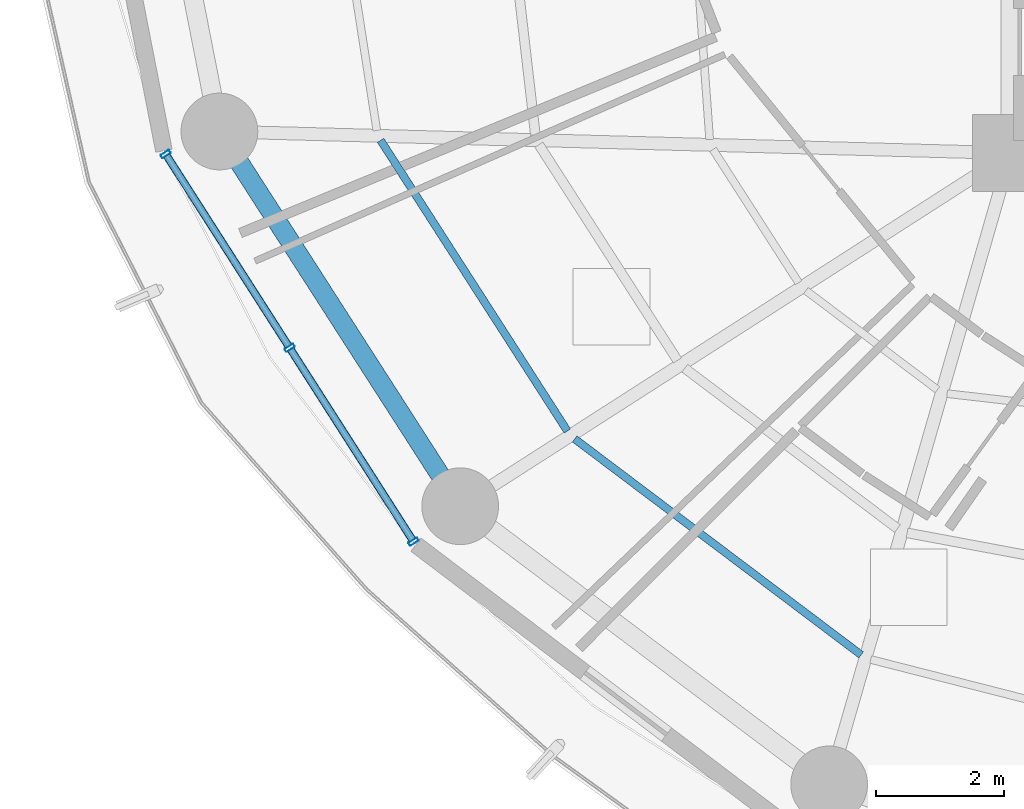
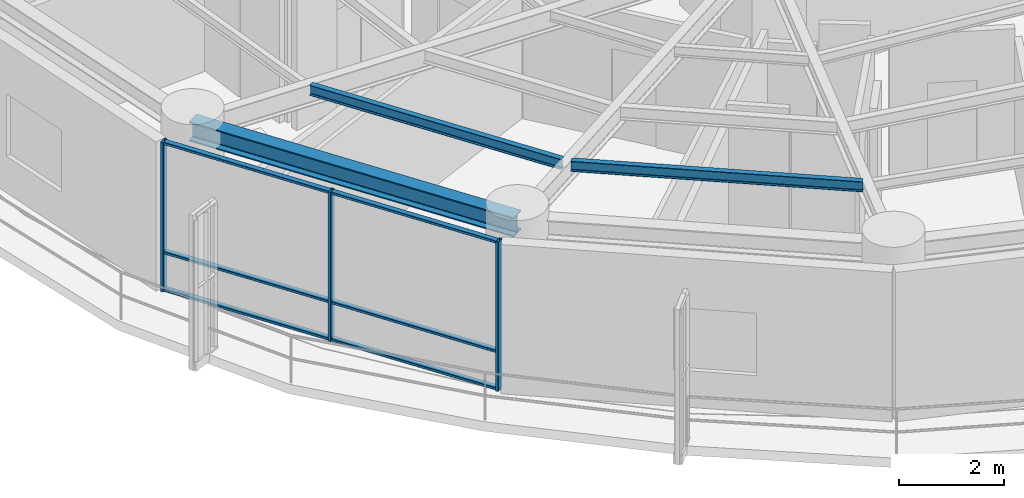
# One storey, part 2 of 27: 9 members, 3 beams, 1 element without a shape of its own.
"""IFC4 building model written with IfcOpenShell, lengths in metres."""

from ifc_helpers import new_model, si_unit, direction, frame, origin, origin_2d, place, context, subcontext, project, spatial, hollow_rectangle, i_section, extrude, material, layer, layer_set, material_profile, profile_set, type_object, element, aggregate, save


model = new_model("IFC4")

# Units and contexts
model_context = context("Model", 3, precision=1e-05, world=origin(), true_north=direction((0.0, 1.0)))
body_context = subcontext(model_context, "Body", "Model", "MODEL_VIEW")
ifc_project = project(units=[si_unit("LENGTHUNIT", "METRE"), si_unit("AREAUNIT", "SQUARE_METRE"), si_unit("VOLUMEUNIT", "CUBIC_METRE"), si_unit("PLANEANGLEUNIT", "RADIAN"), si_unit("MASSUNIT", "GRAM", prefix="KILO")], contexts=[model_context])

# Site, building, storey
site_placement = place(None, origin())
site = spatial("IfcSite", under=ifc_project, at=site_placement, CompositionType="ELEMENT")
building_placement = place(site_placement, origin())
building = spatial("IfcBuilding", under=site, at=building_placement, Name="Kelanora Arch Commons", CompositionType="ELEMENT")
storey_placement = place(building_placement, frame((0.0, 0.0, 146.85009765625)))
storey = spatial("IfcBuildingStorey", under=building, at=storey_placement, Name="L37", CompositionType="ELEMENT", Elevation=146.85009765625)

# Beams
ifc_material_1 = material(Name="Steel S355", Category="steel")
ifc_material_profile_1 = material_profile(ifc_material_1, i_section(OverallWidth=0.1201171875, OverallDepth=0.239990234375, WebThickness=0.006103515625, FlangeThickness=0.009765625, FilletRadius=0.014892578125, at=origin_2d()), Name="IPE240")
ifc_profile_set_1 = profile_set([ifc_material_profile_1], Name="Steel S355")
beam_type_1 = type_object("IfcBeamType", Name="BM-JST-02", PredefinedType="JOIST", material=ifc_profile_set_1)
beam_1_placement = place(storey_placement, frame((56.14794921875, 51.198486328125, 3.369873046875), z_axis=(0.540581678156, -0.841291536414, 0.0), x_axis=(0.841291536414, 0.540581678156, 0.0)))
element("IfcBeam", 1, at=beam_1_placement, inside=storey, type_object=beam_type_1, Name="Secondary Chord Joist BJC-20 L37", PredefinedType="JOIST", context=body_context, shape_type="SweptSolid", body=[
    extrude(i_section(OverallWidth=0.1201171875, OverallDepth=0.239990234375, WebThickness=0.006103515625, FlangeThickness=0.009765625, FilletRadius=0.014892578125, at=origin_2d()), origin(), (0.0, 0.0, 1.0), 5.4013671875),
])
beam_2_placement = place(storey_placement, frame((59.181640625, 46.531494140625, 3.369873046875), z_axis=(0.798493128577, -0.602003923256, 0.0), x_axis=(0.602003923256, 0.798493128577, 0.0)))
element("IfcBeam", 2, at=beam_2_placement, inside=storey, type_object=beam_type_1, Name="Secondary Chord Joist BJC-22 L37", PredefinedType="JOIST", context=body_context, shape_type="SweptSolid", body=[
    extrude(i_section(OverallWidth=0.1201171875, OverallDepth=0.239990234375, WebThickness=0.006103515625, FlangeThickness=0.009765625, FilletRadius=0.014892578125, at=origin_2d()), origin(), (0.0, 0.0, 1.0), 5.608642578125),
])
ifc_material_profile_2 = material_profile(ifc_material_1, i_section(OverallWidth=0.300048828125, OverallDepth=0.449951171875, WebThickness=0.013916015625, FlangeThickness=0.02587890625, FilletRadius=0.027099609375, at=origin_2d()), Name="HEB450")
ifc_profile_set_2 = profile_set([ifc_material_profile_2], Name="Steel S355")
beam_type_2 = type_object("IfcBeamType", Name="BM-SPN-Z3", PredefinedType="SPANDREL", material=ifc_profile_set_2)
beam_3_placement = place(storey_placement, frame((53.62744140625, 51.33740234375, 3.264892578125), z_axis=(0.540576852469, -0.841294637196, 0.0), x_axis=(0.841294637196, 0.540576852469, 0.0)))
element("IfcBeam", 3, at=beam_3_placement, inside=storey, type_object=beam_type_2, Name="Perimeter Spandrel Beam BS-20 L37", PredefinedType="SPANDREL", context=body_context, shape_type="SweptSolid", body=[
    extrude(i_section(OverallWidth=0.300048828125, OverallDepth=0.449951171875, WebThickness=0.013916015625, FlangeThickness=0.02587890625, FilletRadius=0.027099609375, at=origin_2d()), origin(), (0.0, 0.0, 1.0), 6.964111328125),
])

# Curtain wall, members
ifc_material_2 = material(Name="Terracotta ceramic-fritted low-E glass and aluminium", Category="masonry")
ifc_layer = layer(ifc_material_2, 0.175048828125)
ifc_layer_set = layer_set([ifc_layer], Name="Terracotta ceramic-fritted low-E glass and aluminium")
curtain_wall_type = type_object("IfcCurtainWallType", Name="CW-SYS-02", PredefinedType="NOTDEFINED", material=ifc_layer_set)
curtain_wall_placement = place(storey_placement, origin())
curtain_wall = element("IfcCurtainWall", 4, at=curtain_wall_placement, inside=storey, type_object=curtain_wall_type, Name="Unitised Curtain Wall L37-B10", PredefinedType="NOTDEFINED")
ifc_material_3 = material(Name="Powder-coated aluminium terracotta", Category="masonry")
ifc_material_profile_3 = material_profile(ifc_material_3, hollow_rectangle(XDim=0.159912109375, YDim=0.06005859375, WallThickness=0.0048828125, InnerFilletRadius=0.0048828125, OuterFilletRadius=0.010009765625, at=origin_2d()), Name="CWM160x60")
ifc_profile_set_3 = profile_set([ifc_material_profile_3], Name="Powder-coated aluminium terracotta")
member_type_1 = type_object("IfcMemberType", Name="CWM-STD", PredefinedType="MULLION", material=ifc_profile_set_3)
member_1_placement = place(storey_placement, frame((52.787109375, 50.98486328125, 0.0), z_axis=(0.0, 0.0, 1.0), x_axis=(0.842422846546, 0.538816988983, 0.0)))
member_1 = element("IfcMember", 5, at=member_1_placement, type_object=member_type_1, Name="CW-02 mullion 1", PredefinedType="MULLION", context=body_context, shape_type="SweptSolid", body=[
    extrude(hollow_rectangle(XDim=0.159912109375, YDim=0.06005859375, WallThickness=0.0048828125, InnerFilletRadius=0.0048828125, OuterFilletRadius=0.010009765625, at=origin_2d()), origin(), (0.0, 0.0, 1.0), 3.474853515625),
])
member_2_placement = place(storey_placement, frame((54.72509765625, 47.954833984375, 0.0), z_axis=(0.0, 0.0, 1.0), x_axis=(0.842422846546, 0.538816988983, 0.0)))
member_2 = element("IfcMember", 6, at=member_2_placement, type_object=member_type_1, Name="CW-02 mullion 2", PredefinedType="MULLION", context=body_context, shape_type="SweptSolid", body=[
    extrude(hollow_rectangle(XDim=0.159912109375, YDim=0.06005859375, WallThickness=0.0048828125, InnerFilletRadius=0.0048828125, OuterFilletRadius=0.010009765625, at=origin_2d()), origin(), (0.0, 0.0, 1.0), 3.474853515625),
])
member_3_placement = place(storey_placement, frame((56.6630859375, 44.925048828125, 0.0), z_axis=(0.0, 0.0, 1.0), x_axis=(0.842422846546, 0.538816988983, 0.0)))
member_3 = element("IfcMember", 7, at=member_3_placement, type_object=member_type_1, Name="CW-02 mullion 3", PredefinedType="MULLION", context=body_context, shape_type="SweptSolid", body=[
    extrude(hollow_rectangle(XDim=0.159912109375, YDim=0.06005859375, WallThickness=0.0048828125, InnerFilletRadius=0.0048828125, OuterFilletRadius=0.010009765625, at=origin_2d()), origin(), (0.0, 0.0, 1.0), 3.474853515625),
])
ifc_material_profile_4 = material_profile(ifc_material_3, hollow_rectangle(XDim=0.1201171875, YDim=0.06005859375, WallThickness=0.0048828125, InnerFilletRadius=0.0048828125, OuterFilletRadius=0.010009765625, at=origin_2d()), Name="CWT120x60")
ifc_profile_set_4 = profile_set([ifc_material_profile_4], Name="Powder-coated aluminium terracotta")
member_type_2 = type_object("IfcMemberType", Name="CWT-STD", PredefinedType="USERDEFINED", material=ifc_profile_set_4)
member_4_placement = place(storey_placement, frame((52.80322265625, 50.959716796875, 0.02978515625), z_axis=(0.53883037555, -0.842414284295, 0.0), x_axis=(0.842414284295, 0.53883037555, 0.0)))
member_4 = element("IfcMember", 8, at=member_4_placement, type_object=member_type_2, Name="CW-02 transom 1.1", ObjectType="TRANSOM", PredefinedType="USERDEFINED", context=body_context, shape_type="SweptSolid", body=[
    extrude(hollow_rectangle(XDim=0.1201171875, YDim=0.06005859375, WallThickness=0.0048828125, InnerFilletRadius=0.0048828125, OuterFilletRadius=0.010009765625, at=origin_2d()), origin(), (0.0, 0.0, 1.0), 3.536865234375),
])
member_5_placement = place(storey_placement, frame((52.80322265625, 50.959716796875, 0.89990234375), z_axis=(0.53883037555, -0.842414284295, 0.0), x_axis=(0.842414284295, 0.53883037555, 0.0)))
member_5 = element("IfcMember", 9, at=member_5_placement, type_object=member_type_2, Name="CW-02 transom 1.2", ObjectType="TRANSOM", PredefinedType="USERDEFINED", context=body_context, shape_type="SweptSolid", body=[
    extrude(hollow_rectangle(XDim=0.1201171875, YDim=0.06005859375, WallThickness=0.0048828125, InnerFilletRadius=0.0048828125, OuterFilletRadius=0.010009765625, at=origin_2d()), origin(), (0.0, 0.0, 1.0), 3.536865234375),
])
member_6_placement = place(storey_placement, frame((52.80322265625, 50.959716796875, 3.44482421875), z_axis=(0.53883037555, -0.842414284295, 0.0), x_axis=(0.842414284295, 0.53883037555, 0.0)))
member_6 = element("IfcMember", 10, at=member_6_placement, type_object=member_type_2, Name="CW-02 transom 1.3", ObjectType="TRANSOM", PredefinedType="USERDEFINED", context=body_context, shape_type="SweptSolid", body=[
    extrude(hollow_rectangle(XDim=0.1201171875, YDim=0.06005859375, WallThickness=0.0048828125, InnerFilletRadius=0.0048828125, OuterFilletRadius=0.010009765625, at=origin_2d()), origin(), (0.0, 0.0, 1.0), 3.536865234375),
])
member_7_placement = place(storey_placement, frame((54.7412109375, 47.9296875, 0.02978515625), z_axis=(0.53883037555, -0.842414284295, 0.0), x_axis=(0.842414284295, 0.53883037555, 0.0)))
member_7 = element("IfcMember", 11, at=member_7_placement, type_object=member_type_2, Name="CW-02 transom 2.1", ObjectType="TRANSOM", PredefinedType="USERDEFINED", context=body_context, shape_type="SweptSolid", body=[
    extrude(hollow_rectangle(XDim=0.1201171875, YDim=0.06005859375, WallThickness=0.0048828125, InnerFilletRadius=0.0048828125, OuterFilletRadius=0.010009765625, at=origin_2d()), origin(), (0.0, 0.0, 1.0), 3.536865234375),
])
member_8_placement = place(storey_placement, frame((54.7412109375, 47.9296875, 0.89990234375), z_axis=(0.53883037555, -0.842414284295, 0.0), x_axis=(0.842414284295, 0.53883037555, 0.0)))
member_8 = element("IfcMember", 12, at=member_8_placement, type_object=member_type_2, Name="CW-02 transom 2.2", ObjectType="TRANSOM", PredefinedType="USERDEFINED", context=body_context, shape_type="SweptSolid", body=[
    extrude(hollow_rectangle(XDim=0.1201171875, YDim=0.06005859375, WallThickness=0.0048828125, InnerFilletRadius=0.0048828125, OuterFilletRadius=0.010009765625, at=origin_2d()), origin(), (0.0, 0.0, 1.0), 3.536865234375),
])
member_9_placement = place(storey_placement, frame((54.7412109375, 47.9296875, 3.44482421875), z_axis=(0.53883037555, -0.842414284295, 0.0), x_axis=(0.842414284295, 0.53883037555, 0.0)))
member_9 = element("IfcMember", 13, at=member_9_placement, type_object=member_type_2, Name="CW-02 transom 2.3", ObjectType="TRANSOM", PredefinedType="USERDEFINED", context=body_context, shape_type="SweptSolid", body=[
    extrude(hollow_rectangle(XDim=0.1201171875, YDim=0.06005859375, WallThickness=0.0048828125, InnerFilletRadius=0.0048828125, OuterFilletRadius=0.010009765625, at=origin_2d()), origin(), (0.0, 0.0, 1.0), 3.536865234375),
])
aggregate(curtain_wall, [member_1, member_2, member_3, member_4, member_5, member_6, member_7, member_8, member_9])

save(model, "model.ifc")
